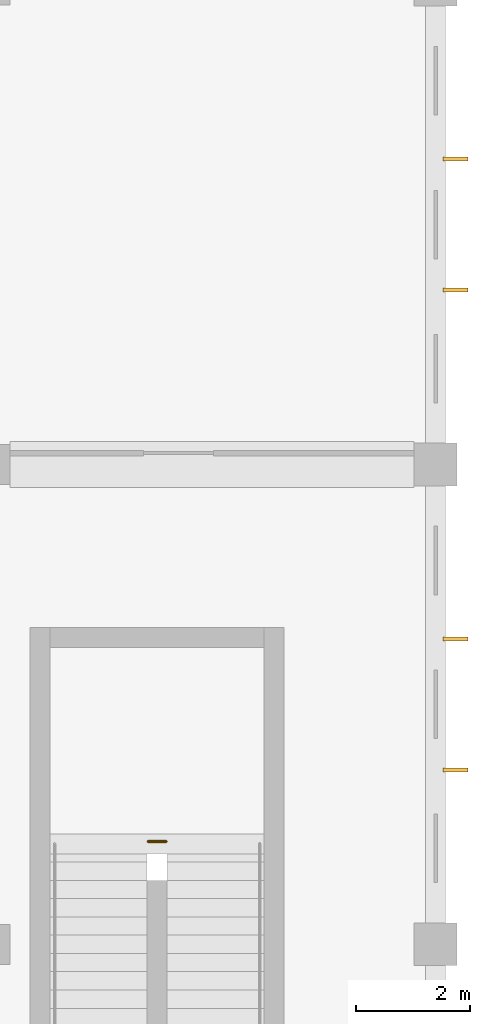
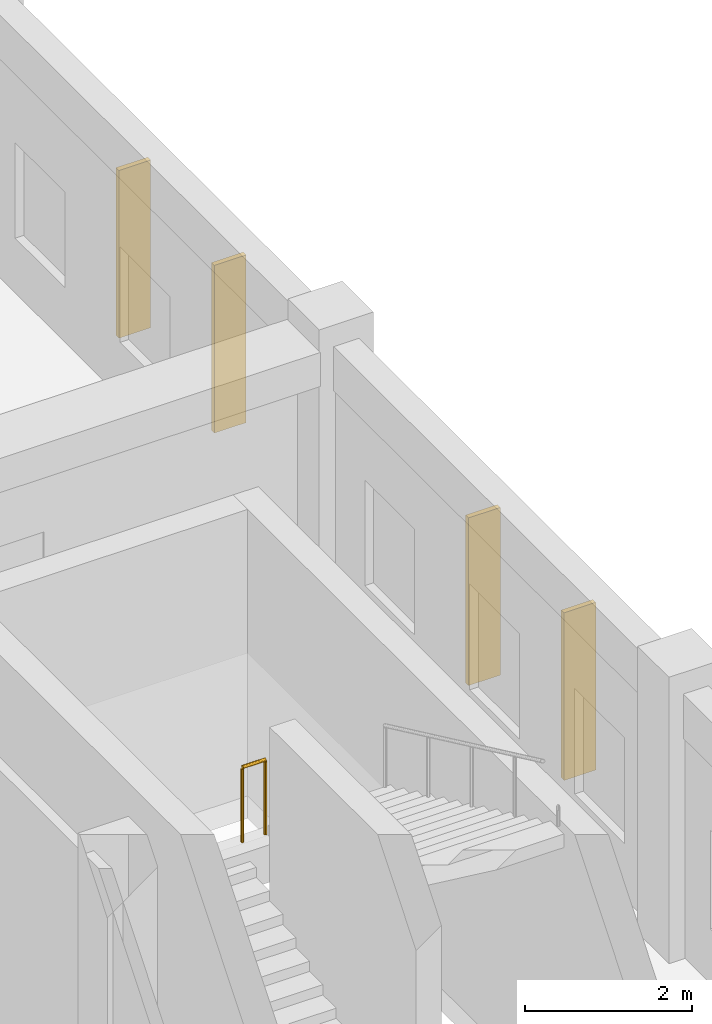
# One storey, part 49 of 53: 4 shading devices, 1 railing.
"""IFC4 building model written with IfcOpenShell, lengths in metres."""

from ifc_helpers import new_model, si_unit, direction, frame, origin, origin_2d, place, context, subcontext, project, spatial, rectangle, circle, extrude, material, layer, layer_set, type_object, element, save


model = new_model("IFC4")

# Units and contexts
model_context = context("Model", 3, precision=1e-05, world=origin(), true_north=direction((0.0, 1.0)))
body_context = subcontext(model_context, "Body", "Model", "MODEL_VIEW")
ifc_project = project(units=[si_unit("LENGTHUNIT", "METRE"), si_unit("AREAUNIT", "SQUARE_METRE"), si_unit("VOLUMEUNIT", "CUBIC_METRE"), si_unit("PLANEANGLEUNIT", "RADIAN"), si_unit("MASSUNIT", "GRAM", prefix="KILO"), si_unit("THERMODYNAMICTEMPERATUREUNIT", "KELVIN"), si_unit("POWERUNIT", "WATT")], contexts=[model_context])

# Site, building, storey
site_placement = place(None, origin())
site = spatial("IfcSite", under=ifc_project, at=site_placement, CompositionType="ELEMENT")
building_placement = place(site_placement, origin())
building = spatial("IfcBuilding", under=site, at=building_placement, Name="Srebrne Nadtorze General Hospital", CompositionType="ELEMENT")
storey_placement = place(building_placement, frame((0.0, 0.0, 18.0)))
storey = spatial("IfcBuildingStorey", under=building, at=storey_placement, Name="L04", CompositionType="ELEMENT", Elevation=18.0)

# Shading devices
ifc_material_1 = material(Name="Anodised Aluminium", Category="aluminium")
ifc_layer = layer(ifc_material_1, 0.070068359375)
ifc_layer_set = layer_set([ifc_layer], Name="Anodised Aluminium")
shading_device_type = type_object("IfcShadingDeviceType", Name="Koushi vertical brise-soleil fin", PredefinedType="SHUTTER", material=ifc_layer_set)
for number, where, z_axis, x_axis, name in (
    (1, (148.550048828125, 19.8525390625, 0.452880859375), (0.0, 0.0, 1.0), (1.0, 0.0, 0.0), "Clinic koushi vertical fin LV-290"),
    (2, (148.550048828125, 22.1474609375, 0.452880859375), (0.0, 0.0, 1.0), (1.0, 0.0, 0.0), "Clinic koushi vertical fin LV-291"),
    (3, (148.550048828125, 28.25244140625, 0.452880859375), (0.0, 0.0, 1.0), (1.0, 0.0, 0.0), "Clinic koushi vertical fin LV-292"),
    (4, (148.550048828125, 30.547607421875, 0.452880859375), (0.0, 0.0, 1.0), (1.0, 0.0, 0.0), "Clinic koushi vertical fin LV-293"),
):
    element("IfcShadingDevice", number, at=place(storey_placement, frame(where, z_axis=z_axis, x_axis=x_axis)), inside=storey, type_object=shading_device_type, Name=name, PredefinedType="SHUTTER", context=body_context, shape_type="SweptSolid", body=[
        extrude(rectangle(XDim=0.43994140625, YDim=0.070068359375, at=origin_2d()), origin(), (0.0, 0.0, 1.0), 2.45849609375),
    ])

# Railing
ifc_material_2 = material(Name="Stainless Steel 316", Category="steel")
railing_type = type_object("IfcRailingType", Name="Stairwell safety guard 1120", PredefinedType="BALUSTRADE", material=ifc_material_2)
railing_placement = place(storey_placement, frame((143.1650390625, 18.60009765625, 2.10009765625)))
element("IfcRailing", 5, at=railing_placement, inside=storey, type_object=railing_type, Name="Half landing well guard ST-08-L04", PredefinedType="BALUSTRADE", context=body_context, shape_type="SweptSolid", body=[
    extrude(circle(Radius=0.02392578125, at=origin_2d()), frame((0.0, 0.0, 1.09619140625), z_axis=(1.0, 0.0, 0.0), x_axis=(0.0, 1.0, 0.0)), (0.0, 0.0, 1.0), 0.320068359375),
    extrude(circle(Radius=0.02099609375, at=origin_2d()), origin(), (0.0, 0.0, 1.0), 1.072021484375),
    extrude(circle(Radius=0.02099609375, at=origin_2d()), frame((0.320068359375, 0.0, 0.0)), (0.0, 0.0, 1.0), 1.072021484375),
])

save(model, "model.ifc")
